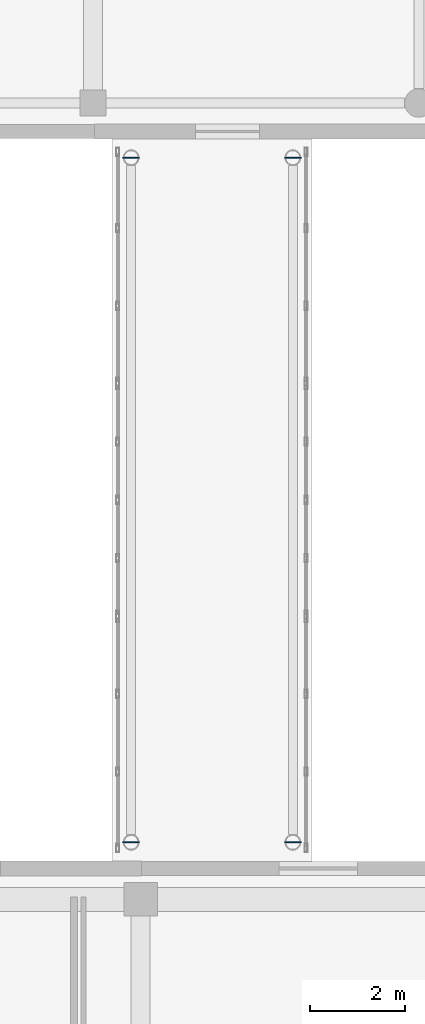
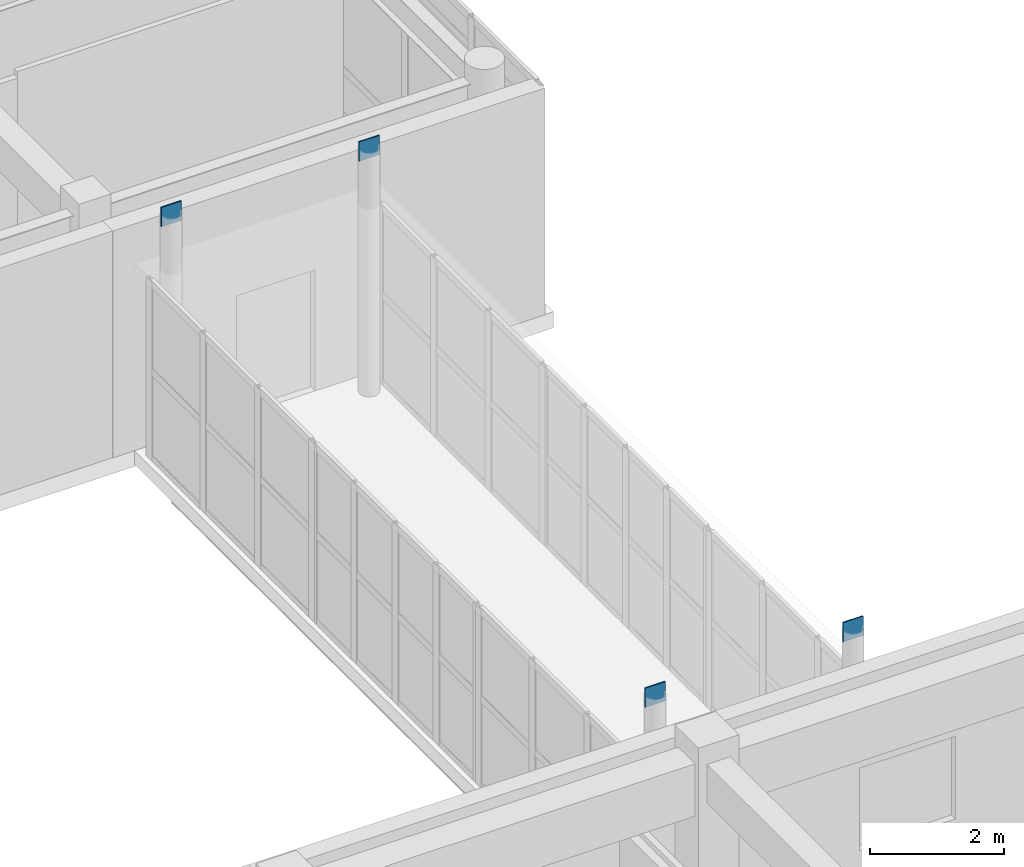
# One storey, part 116 of 142: 4 plates.
"""IFC4 building model written with IfcOpenShell, lengths in metres."""

from ifc_helpers import new_model, si_unit, direction, frame, origin, origin_2d, place, context, subcontext, project, spatial, rectangle, extrude, material, layer, layer_set, type_object, element, save


model = new_model("IFC4")

# Units and contexts
model_context = context("Model", 3, precision=1e-05, world=origin(), true_north=direction((0.0, 1.0)))
body_context = subcontext(model_context, "Body", "Model", "MODEL_VIEW")
ifc_project = project(units=[si_unit("LENGTHUNIT", "METRE"), si_unit("AREAUNIT", "SQUARE_METRE"), si_unit("VOLUMEUNIT", "CUBIC_METRE"), si_unit("PLANEANGLEUNIT", "RADIAN"), si_unit("MASSUNIT", "GRAM", prefix="KILO")], contexts=[model_context])

# Site, building, storey
site_placement = place(None, origin())
site = spatial("IfcSite", under=ifc_project, at=site_placement, CompositionType="ELEMENT")
building_placement = place(site_placement, origin())
building = spatial("IfcBuilding", under=site, at=building_placement, Name="Valcora Specialist Clinic", CompositionType="ELEMENT")
storey_placement = place(building_placement, frame((0.0, 0.0, 5.10009765625)))
storey = spatial("IfcBuildingStorey", under=building, at=storey_placement, Name="L01", CompositionType="ELEMENT", Elevation=5.10009765625)

# Plates
ifc_material = material(Name="Steel ASTM A572 Grade 50", Category="steel")
ifc_layer = layer(ifc_material, 0.02197265625)
ifc_layer_set = layer_set([ifc_layer], Name="Steel ASTM A572 Grade 50")
plate_type = type_object("IfcPlateType", Name="TY-PL-EC324", PredefinedType="USERDEFINED", material=ifc_layer_set)
for number, where, z_axis, x_axis, name in (
    (1, (23.199951171875, 23.199951171875, 4.23388671875), (0.0, 0.0, 1.0), (1.0, 0.0, 0.0), "Column end-cap plate COL-L01-0949"),
    (2, (23.199951171875, 37.60009765625, 4.23388671875), (0.0, 0.0, 1.0), (1.0, 0.0, 0.0), "Column end-cap plate COL-L01-0952"),
    (3, (26.60009765625, 23.199951171875, 4.23388671875), (0.0, 0.0, 1.0), (1.0, 0.0, 0.0), "Column end-cap plate COL-L01-0955"),
    (4, (26.60009765625, 37.60009765625, 4.23388671875), (0.0, 0.0, 1.0), (1.0, 0.0, 0.0), "Column end-cap plate COL-L01-0958"),
):
    element("IfcPlate", number, at=place(storey_placement, frame(where, z_axis=z_axis, x_axis=x_axis)), inside=storey, type_object=plate_type, Name=name, ObjectType="FLANGE_PLATE", PredefinedType="USERDEFINED", context=body_context, shape_type="SweptSolid", body=[
        extrude(rectangle(XDim=0.35009765625, YDim=0.02197265625, at=origin_2d()), origin(), (0.0, 0.0, 1.0), 0.35009765625),
    ])

save(model, "model.ifc")
